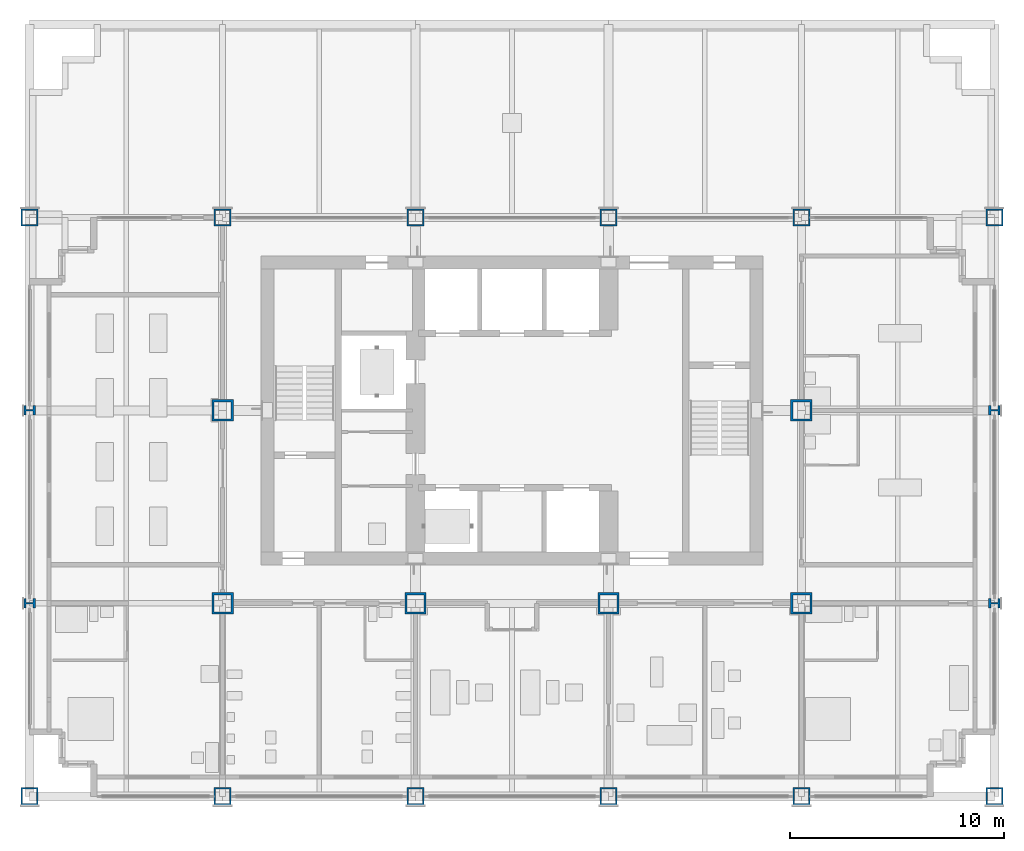
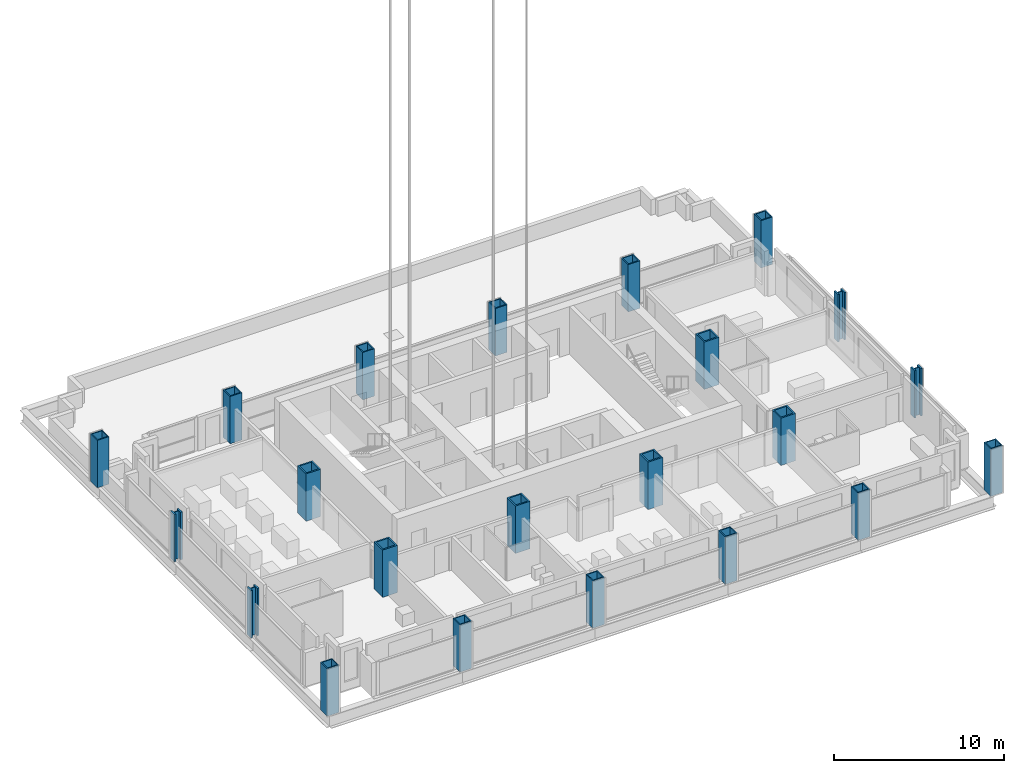
# One storey, part 1 of 15: 22 columns.
"""IFC4 building model written with IfcOpenShell, lengths in metres."""

import ifcopenshell
import ifcopenshell.guid

model = None  # the IFC model being written
_history = None  # IfcOwnerHistory: only IFC2X3 demands one
_inside = {}  # id of a spatial element -> (the spatial element, [elements in it])
_under = {}  # id of a project, library or spatial element -> (it, [spatial elements below it])
_declared = {}  # id of a project -> (the project, [libraries it declares])
_typed = {}  # id of a type object -> (the type object, [elements of that type])
_made_of = {}  # id of a material, layer set ... -> (it, [elements and type objects made of it])


def new_model(schema):
    """Start an empty IFC model of exactly this schema.

    Asked for "IFC4X3", IfcOpenShell would pick the latest addendum, in which some entities
    have other attributes; the version numbers below select the first issue.
    IFC2X3 requires an IfcOwnerHistory on every rooted entity: one is made here for all.
    """
    global model, _history
    if schema == "IFC4X3":
        model = ifcopenshell.file(schema_version=(4, 3, 0, 0))
    else:
        model = ifcopenshell.file(schema=schema)
    _inside.clear()
    _under.clear()
    _declared.clear()
    _typed.clear()
    _made_of.clear()
    _history = None
    if model.schema == "IFC2X3":
        org = make("IfcOrganization", Name="unknown")
        user = make(
            "IfcPersonAndOrganization",
            ThePerson=make("IfcPerson", FamilyName="unknown"),
            TheOrganization=org,
        )
        app = make(
            "IfcApplication",
            ApplicationDeveloper=org,
            Version="unknown",
            ApplicationFullName="unknown",
            ApplicationIdentifier="unknown",
        )
        _history = make(
            "IfcOwnerHistory",
            OwningUser=user,
            OwningApplication=app,
            ChangeAction="ADDED",
            CreationDate=0,
        )
    return model


def make(cls, **values):
    """One entity of the class cls with the attributes given. An attribute that is None is left unset."""
    return model.create_entity(
        cls, **{name: value for name, value in values.items() if value is not None}
    )


def rooted(cls, **values):
    """An entity with a GlobalId (a new one), such as an element, a storey or a relation."""
    return make(cls, GlobalId=ifcopenshell.guid.new(), OwnerHistory=_history, **values)


def si_unit(unit_type, name, prefix=None):
    """IfcSIUnit, for example si_unit("LENGTHUNIT", "METRE", prefix="MILLI")."""
    return make("IfcSIUnit", UnitType=unit_type, Prefix=prefix, Name=name)


def assignment(units):
    """IfcUnitAssignment: the units of a project."""
    return None if units is None else make("IfcUnitAssignment", Units=units)


def point(xyz):
    """IfcCartesianPoint."""
    return None if xyz is None else make("IfcCartesianPoint", Coordinates=xyz)


def direction(xyz):
    """IfcDirection."""
    return None if xyz is None else make("IfcDirection", DirectionRatios=xyz)


def frame(location, z_axis=None, x_axis=None):
    """IfcAxis2Placement3D, a coordinate frame: its origin and axes. An axis left out is left unset."""
    return make(
        "IfcAxis2Placement3D",
        Location=point(location),
        Axis=direction(z_axis),
        RefDirection=direction(x_axis),
    )


def frame_2d(location, x_axis=None):
    """IfcAxis2Placement2D, a coordinate frame in the plane: its origin and x axis."""
    return make(
        "IfcAxis2Placement2D", Location=point(location), RefDirection=direction(x_axis)
    )


def origin():
    """The frame at (0, 0, 0) with its axes left unset."""
    return frame((0.0, 0.0, 0.0))


def origin_2d():
    """The frame at (0, 0) in the plane with its x axis left unset."""
    return frame_2d((0.0, 0.0))


def place(relative_to, where):
    """IfcLocalPlacement: puts the frame where relative to a parent placement (None: the world)."""
    return make(
        "IfcLocalPlacement", PlacementRelTo=relative_to, RelativePlacement=where
    )


def context(
    kind, dimensions, precision=None, world=None, true_north=None, identifier=None
):
    """IfcGeometricRepresentationContext, for example the 3D "Model" context."""
    return make(
        "IfcGeometricRepresentationContext",
        ContextIdentifier=identifier,
        ContextType=kind,
        CoordinateSpaceDimension=dimensions,
        Precision=precision,
        WorldCoordinateSystem=world,
        TrueNorth=true_north,
    )


def subcontext(parent, identifier, kind, view, scale=None):
    """IfcGeometricRepresentationSubContext, for example "Body" below "Model"."""
    return make(
        "IfcGeometricRepresentationSubContext",
        ContextIdentifier=identifier,
        ContextType=kind,
        ParentContext=parent,
        TargetScale=scale,
        TargetView=view,
    )


def project(units=None, contexts=None):
    """IfcProject with its units and contexts."""
    return rooted(
        "IfcProject",
        Name="project",
        RepresentationContexts=contexts,
        UnitsInContext=assignment(units),
    )


def spatial(cls, under=None, at=None, **own):
    """A site, building, storey or space (cls), placed at a placement, below another one or the project."""
    s = rooted(cls, ObjectPlacement=at, **own)
    if under is not None:
        _under.setdefault(under.id(), (under, []))[1].append(s)
    return s


def profile(cls, at=None, kind="AREA", **sizes):
    """A parametric profile (cls). Its sizes go by their IFC names, for example OverallWidth=200.0."""
    return make(cls, ProfileType=kind, Position=at, **sizes)


def hollow_rectangle(**sizes):
    """IfcRectangleHollowProfileDef."""
    return profile("IfcRectangleHollowProfileDef", **sizes)


def i_section(**sizes):
    """IfcIShapeProfileDef."""
    return profile("IfcIShapeProfileDef", **sizes)


def extrude(swept, where, along, depth):
    """IfcExtrudedAreaSolid: the profile swept, set in the frame where, extruded along a direction by depth."""
    return make(
        "IfcExtrudedAreaSolid",
        SweptArea=swept,
        Position=where,
        ExtrudedDirection=direction(along),
        Depth=depth,
    )


def shape(context_of_items, identifier, shape_type, items):
    """IfcShapeRepresentation: the items that make up one representation, for example the "Body"."""
    return make(
        "IfcShapeRepresentation",
        ContextOfItems=context_of_items,
        RepresentationIdentifier=identifier,
        RepresentationType=shape_type,
        Items=items,
    )


def material(Name=None, Category=None):
    """IfcMaterial."""
    return make("IfcMaterial", Name=Name, Category=Category)


def material_profile(
    of_material, cross_section, Name=None, Category=None, Priority=None
):
    """IfcMaterialProfile: a cross section and its material."""
    return make(
        "IfcMaterialProfile",
        Name=Name,
        Material=of_material,
        Profile=cross_section,
        Priority=Priority,
        Category=Category,
    )


def profile_set(profiles, Name=None, composite=None):
    """IfcMaterialProfileSet."""
    return make(
        "IfcMaterialProfileSet",
        Name=Name,
        MaterialProfiles=profiles,
        CompositeProfile=composite,
    )


def made_of(thing, what):
    """Note that an element or type object is made of a material, layer set ...; save() writes the relation."""
    if what is not None:
        _made_of.setdefault(what.id(), (what, []))[1].append(thing)
    return thing


def type_object(cls, material=None, **own):
    """A type object (cls), such as IfcWallType, which elements share."""
    return made_of(rooted(cls, **own), material)


def element(
    cls,
    number,
    at=None,
    inside=None,
    cuts=None,
    type_object=None,
    material=None,
    context=None,
    identifier="Body",
    shape_type=None,
    held_by="IfcProductDefinitionShape",
    body=None,
    shapes=None,
    **own,
):
    """One element of the class cls, such as IfcWall. Its Tag is "e" and its number.

    at: its placement. inside: the storey or other place that contains it. cuts: it is an
    opening in that element (IfcRelVoidsElement). A single representation is given by context,
    identifier, shape_type and body (its items); several are given by shapes. held_by: the class
    of the entity that holds the representations. save() writes the other relations.
    """
    e = rooted(cls, Tag="e%d" % number, ObjectPlacement=at, **own)
    if body is not None:
        shapes = [shape(context, identifier, shape_type, body)]
    if shapes is not None:
        e.Representation = make(held_by, Representations=shapes)
    if inside is not None:
        _inside.setdefault(inside.id(), (inside, []))[1].append(e)
    if cuts is not None:
        rooted(
            "IfcRelVoidsElement", RelatingBuildingElement=cuts, RelatedOpeningElement=e
        )
    if type_object is not None:
        _typed.setdefault(type_object.id(), (type_object, []))[1].append(e)
    return made_of(e, material)


def aggregate(whole, parts):
    """IfcRelAggregates: a whole, such as a stair, and the parts it consists of."""
    return rooted("IfcRelAggregates", RelatingObject=whole, RelatedObjects=parts)


def save(model, path):
    """Write the relations noted so far, then the file.

    IfcRelAggregates (storeys below a building ...), IfcRelContainedInSpatialStructure (elements
    in a storey), IfcRelDefinesByType, IfcRelAssociatesMaterial and IfcRelDeclares: one each for
    every whole, place, type object, material and project.
    """
    for whole, parts in _under.values():
        aggregate(whole, parts)
    for where, things in _inside.values():
        rooted(
            "IfcRelContainedInSpatialStructure",
            RelatedElements=things,
            RelatingStructure=where,
        )
    for kind, things in _typed.values():
        rooted("IfcRelDefinesByType", RelatedObjects=things, RelatingType=kind)
    for what, things in _made_of.values():
        rooted("IfcRelAssociatesMaterial", RelatedObjects=things, RelatingMaterial=what)
    for by, libraries in _declared.values():
        rooted("IfcRelDeclares", RelatingContext=by, RelatedDefinitions=libraries)
    model.write(path)


model = new_model("IFC4")

# Units and contexts
model_context = context("Model", 3, precision=1e-05, world=origin(), true_north=direction((0.0, 1.0)))
body_context = subcontext(model_context, "Body", "Model", "MODEL_VIEW")
ifc_project = project(units=[si_unit("LENGTHUNIT", "METRE"), si_unit("AREAUNIT", "SQUARE_METRE"), si_unit("VOLUMEUNIT", "CUBIC_METRE"), si_unit("PLANEANGLEUNIT", "RADIAN"), si_unit("MASSUNIT", "GRAM", prefix="KILO")], contexts=[model_context])

# Site, building, storey
site_placement = place(None, origin())
site = spatial("IfcSite", under=ifc_project, at=site_placement, CompositionType="ELEMENT")
building_placement = place(site_placement, origin())
building = spatial("IfcBuilding", under=site, at=building_placement, Name="Loomwork Tower", CompositionType="ELEMENT")
storey_placement = place(building_placement, frame((0.0, 0.0, 160.39990234375)))
storey = spatial("IfcBuildingStorey", under=building, at=storey_placement, Name="L43", CompositionType="ELEMENT", Elevation=160.39990234375)

# Columns
ifc_material_1 = material(Name="Steel ASTM A572 Grade 50 plate", Category="steel")
ifc_material_profile_1 = material_profile(ifc_material_1, hollow_rectangle(XDim=0.800048828125, YDim=0.800048828125, WallThickness=0.070068359375, at=origin_2d()), Name="BOX800x70")
ifc_profile_set_1 = profile_set([ifc_material_profile_1], Name="Steel ASTM A572 Grade 50 plate")
column_type_1 = type_object("IfcColumnType", Name="EXOSKELETON PIER BOX800x70", PredefinedType="COLUMN", material=ifc_profile_set_1)
for number, where, z_axis, x_axis, name in (
    (1, (0.0, 0.0, 0.0), (0.0, 0.0, 1.0), (1.0, 0.0, 0.0), "Exoskeleton Pier D/2 L43"),
    (2, (0.0, 27.0, 0.0), (0.0, 0.0, 1.0), (0.0, 1.0, 0.0), "Exoskeleton Pier G/2 L43"),
    (3, (9.0, 0.0, 0.0), (0.0, 0.0, 1.0), (1.0, 0.0, 0.0), "Exoskeleton Pier D/3 L43"),
    (4, (9.0, 27.0, 0.0), (0.0, 0.0, 1.0), (1.0, 0.0, 0.0), "Exoskeleton Pier G/3 L43"),
    (5, (18.0, 0.0, 0.0), (0.0, 0.0, 1.0), (1.0, 0.0, 0.0), "Exoskeleton Pier D/4 L43"),
    (6, (18.0, 27.0, 0.0), (0.0, 0.0, 1.0), (1.0, 0.0, 0.0), "Exoskeleton Pier G/4 L43"),
    (7, (27.0, 0.0, 0.0), (0.0, 0.0, 1.0), (1.0, 0.0, 0.0), "Exoskeleton Pier D/5 L43"),
    (8, (27.0, 27.0, 0.0), (0.0, 0.0, 1.0), (1.0, 0.0, 0.0), "Exoskeleton Pier G/5 L43"),
    (9, (36.0, 0.0, 0.0), (0.0, 0.0, 1.0), (1.0, 0.0, 0.0), "Exoskeleton Pier D/6 L43"),
    (10, (36.0, 27.0, 0.0), (0.0, 0.0, 1.0), (1.0, 0.0, 0.0), "Exoskeleton Pier G/6 L43"),
    (11, (45.0, 0.0, 0.0), (0.0, 0.0, 1.0), (1.0, 0.0, 0.0), "Exoskeleton Pier D/7 L43"),
    (12, (45.0, 27.0, 0.0), (0.0, 0.0, 1.0), (0.0, 1.0, 0.0), "Exoskeleton Pier G/7 L43"),
):
    element("IfcColumn", number, at=place(storey_placement, frame(where, z_axis=z_axis, x_axis=x_axis)), inside=storey, type_object=column_type_1, Name=name, PredefinedType="COLUMN", context=body_context, shape_type="SweptSolid", body=[
        extrude(hollow_rectangle(XDim=0.800048828125, YDim=0.800048828125, WallThickness=0.070068359375, at=origin_2d()), origin(), (0.0, 0.0, 1.0), 3.400146484375),
    ])
ifc_material_2 = material(Name="Steel ASTM A992", Category="steel")
ifc_material_profile_2 = material_profile(ifc_material_2, i_section(OverallWidth=0.449462890625, OverallDepth=0.548583984375, WebThickness=0.07177734375, FlangeThickness=0.11474609375, at=origin_2d()), Name="W14x665")
ifc_profile_set_2 = profile_set([ifc_material_profile_2], Name="Steel ASTM A992")
column_type_2 = type_object("IfcColumnType", Name="EXOSKELETON PIER W14x665", PredefinedType="COLUMN", material=ifc_profile_set_2)
for number, where, z_axis, x_axis, name in (
    (13, (0.0, 9.0, 0.0), (0.0, 0.0, 1.0), (0.0, 1.0, 0.0), "Exoskeleton Pier E/2 L43"),
    (14, (0.0, 18.0, 0.0), (0.0, 0.0, 1.0), (0.0, 1.0, 0.0), "Exoskeleton Pier F/2 L43"),
    (15, (45.0, 9.0, 0.0), (0.0, 0.0, 1.0), (0.0, 1.0, 0.0), "Exoskeleton Pier E/7 L43"),
    (16, (45.0, 18.0, 0.0), (0.0, 0.0, 1.0), (0.0, 1.0, 0.0), "Exoskeleton Pier F/7 L43"),
):
    element("IfcColumn", number, at=place(storey_placement, frame(where, z_axis=z_axis, x_axis=x_axis)), inside=storey, type_object=column_type_2, Name=name, PredefinedType="COLUMN", context=body_context, shape_type="SweptSolid", body=[
        extrude(i_section(OverallWidth=0.449462890625, OverallDepth=0.548583984375, WebThickness=0.07177734375, FlangeThickness=0.11474609375, at=origin_2d()), origin(), (0.0, 0.0, 1.0), 3.400146484375),
    ])
ifc_material_3 = material(Name="Steel ASTM A572 Grade 50 plate", Category="steel")
ifc_material_profile_3 = material_profile(ifc_material_3, hollow_rectangle(XDim=1.0, YDim=1.0, WallThickness=0.10009765625, at=origin_2d()), Name="BOX1000x100")
ifc_profile_set_3 = profile_set([ifc_material_profile_3], Name="Steel ASTM A572 Grade 50 plate")
column_type_3 = type_object("IfcColumnType", Name="TOWER COLUMN BOX1000x100", PredefinedType="COLUMN", material=ifc_profile_set_3)
for number, where, z_axis, x_axis, name in (
    (17, (9.0, 9.0, 0.0), (0.0, 0.0, 1.0), (1.0, 0.0, 0.0), "Tower Column E/3 L43"),
    (18, (9.0, 18.0, 0.0), (0.0, 0.0, 1.0), (1.0, 0.0, 0.0), "Tower Column F/3 L43"),
    (19, (18.0, 9.0, 0.0), (0.0, 0.0, 1.0), (1.0, 0.0, 0.0), "Tower Column E/4 L43"),
    (20, (27.0, 9.0, 0.0), (0.0, 0.0, 1.0), (1.0, 0.0, 0.0), "Tower Column E/5 L43"),
    (21, (36.0, 9.0, 0.0), (0.0, 0.0, 1.0), (0.0, 1.0, 0.0), "Tower Column E/6 L43"),
    (22, (36.0, 18.0, 0.0), (0.0, 0.0, 1.0), (0.0, 1.0, 0.0), "Tower Column F/6 L43"),
):
    element("IfcColumn", number, at=place(storey_placement, frame(where, z_axis=z_axis, x_axis=x_axis)), inside=storey, type_object=column_type_3, Name=name, PredefinedType="COLUMN", context=body_context, shape_type="SweptSolid", body=[
        extrude(hollow_rectangle(XDim=1.0, YDim=1.0, WallThickness=0.10009765625, at=origin_2d()), origin(), (0.0, 0.0, 1.0), 3.400146484375),
    ])

save(model, "model.ifc")
